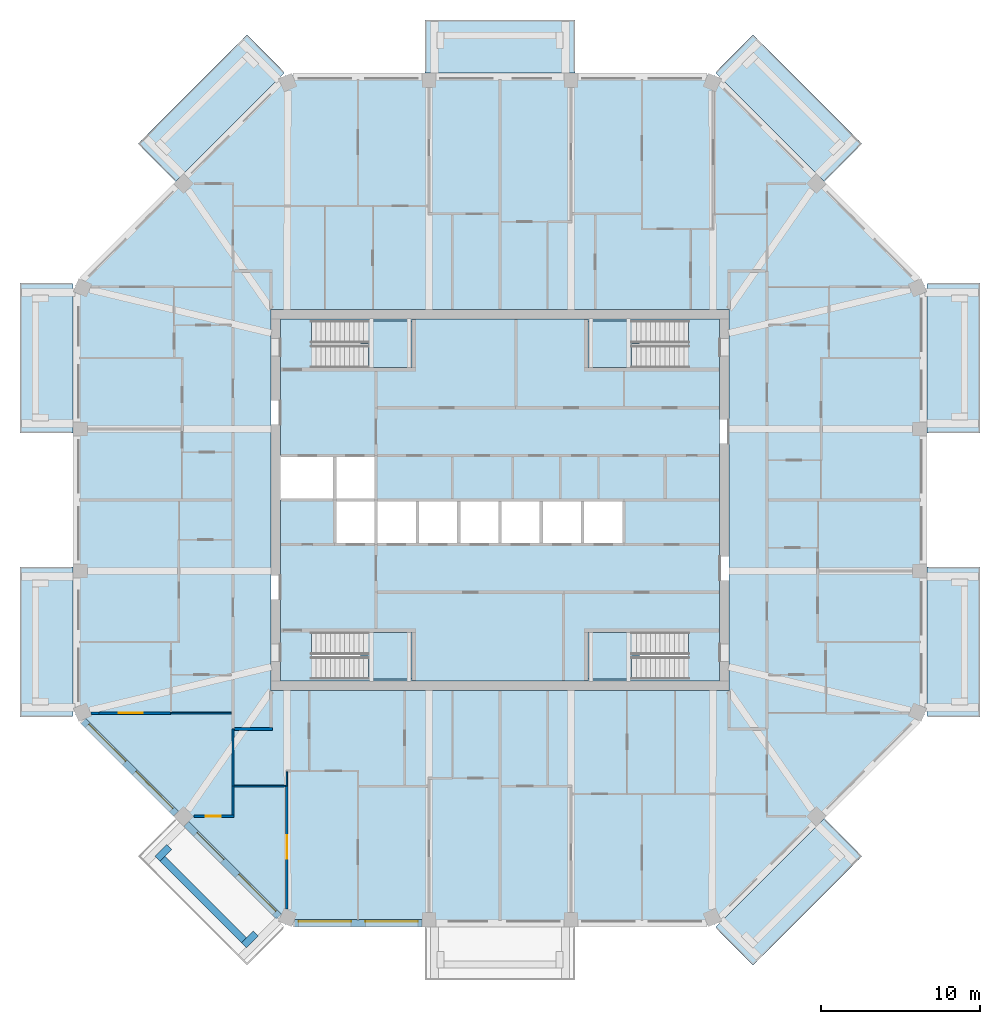
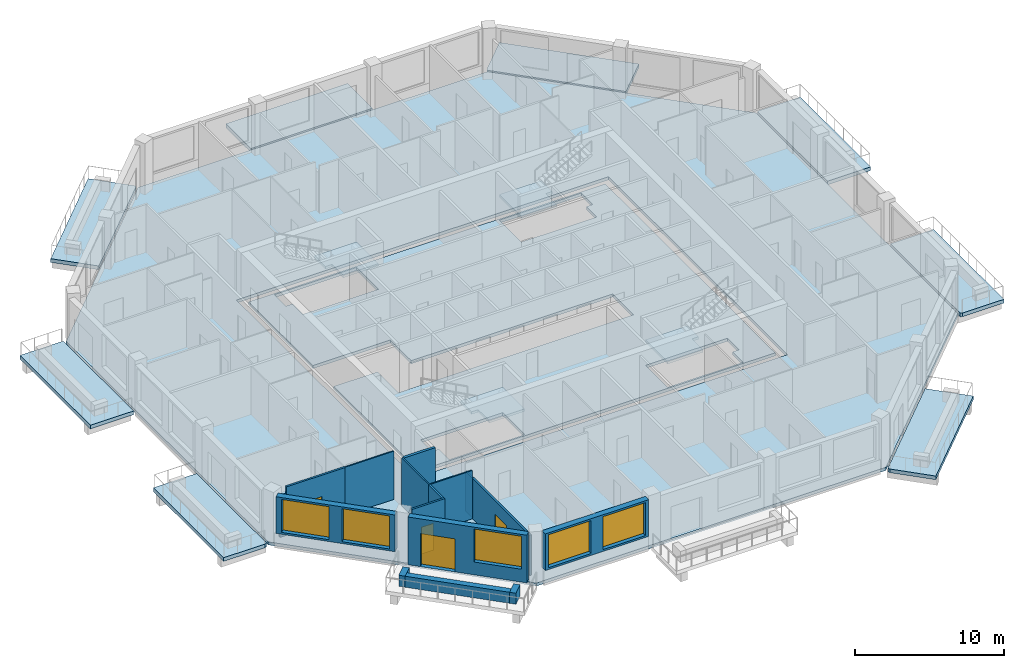
# One storey, part 2 of 12: 16 walls, 14 slabs, 5 windows, 4 doors, 9 openings, 4 elements without a shape of their own.
"""IFC4 building model written with IfcOpenShell, lengths in metres."""

from ifc_helpers import new_model, si_unit, direction, frame, frame_2d, origin, place, context, subcontext, project, spatial, polyline, rectangle, outline, extrude, material, layer, layer_set, type_object, element, fill, aggregate, save


model = new_model("IFC4")

# Units and contexts
model_context = context("Model", 3, precision=1e-05, world=origin(), true_north=direction((0.0, 1.0)))
body_context = subcontext(model_context, "Body", "Model", "MODEL_VIEW")
ifc_project = project(units=[si_unit("LENGTHUNIT", "METRE"), si_unit("AREAUNIT", "SQUARE_METRE"), si_unit("VOLUMEUNIT", "CUBIC_METRE"), si_unit("PLANEANGLEUNIT", "RADIAN"), si_unit("MASSUNIT", "GRAM", prefix="KILO")], contexts=[model_context])

# Site, building, storey
site_placement = place(None, origin())
site = spatial("IfcSite", under=ifc_project, at=site_placement, CompositionType="ELEMENT")
building_placement = place(site_placement, origin())
building = spatial("IfcBuilding", under=site, at=building_placement, Name="Msitu Wima Residences", CompositionType="ELEMENT")
storey_placement = place(building_placement, frame((0.0, 0.0, 276.89990234375)))
storey = spatial("IfcBuildingStorey", under=building, at=storey_placement, Name="L64", CompositionType="ELEMENT", Elevation=276.89990234375)

# Slabs
ifc_material_1 = material(Name="Concrete C40/50", Category="concrete")
ifc_layer_1 = layer(ifc_material_1, 0.300048828125)
ifc_layer_set_1 = layer_set([ifc_layer_1], Name="Concrete C40/50")
slab_type_1 = type_object("IfcSlabType", Name="Balcony slab BS300", PredefinedType="FLOOR", material=ifc_layer_set_1)
slab_1_placement = place(storey_placement, frame((0.0, 0.0, -0.2998046875)))
element("IfcSlab", 1, at=slab_1_placement, inside=storey, type_object=slab_type_1, Name="Balcony E0 L64", PredefinedType="FLOOR", context=body_context, shape_type="SweptSolid", body=[
    extrude(outline(polyline([(26.85009765625, -13.105224609375), (26.85009765625, -13.105224609375), (26.85009765625, -4.918701171875), (26.85009765625, -4.21875), (30.199951171875, -4.21875), (30.199951171875, -13.656005859375), (27.003662109375, -13.656005859375), (26.85009765625, -13.59228515625), (26.85009765625, -13.105224609375), (26.85009765625, -13.105224609375)])), origin(), (0.0, 0.0, 1.0), 0.2998046875),
])
slab_2_placement = place(storey_placement, frame((0.0, 0.0, -0.2998046875)))
element("IfcSlab", 2, at=slab_2_placement, inside=storey, type_object=slab_type_1, Name="Balcony E2 L64", PredefinedType="FLOOR", context=body_context, shape_type="SweptSolid", body=[
    extrude(outline(polyline([(26.85009765625, 13.105224609375), (26.85009765625, 13.105224609375), (26.85009765625, 13.105224609375), (26.85009765625, 13.59228515625), (27.003662109375, 13.656005859375), (30.199951171875, 13.656005859375), (30.199951171875, 4.21875), (26.85009765625, 4.21875), (26.85009765625, 4.918701171875), (26.85009765625, 13.105224609375)])), origin(), (0.0, 0.0, 1.0), 0.2998046875),
])
slab_3_placement = place(storey_placement, frame((0.0, 0.0, -0.2998046875)))
element("IfcSlab", 3, at=slab_3_placement, inside=storey, type_object=slab_type_1, Name="Balcony NE1 L64", PredefinedType="FLOOR", context=body_context, shape_type="SweptSolid", body=[
    extrude(outline(polyline([(13.936767578125, 26.505615234375), (13.936767578125, 26.505615234375), (13.59228515625, 26.85009765625), (13.656005859375, 27.003662109375), (15.916015625, 29.263671875), (22.766845703125, 22.4130859375), (20.39794921875, 20.04443359375), (13.936767578125, 26.505615234375), (13.936767578125, 26.505615234375)])), origin(), (0.0, 0.0, 1.0), 0.2998046875),
])
slab_4_placement = place(storey_placement, frame((0.0, 0.0, -0.2998046875)))
element("IfcSlab", 4, at=slab_4_placement, inside=storey, type_object=slab_type_1, Name="Balcony N1 L64", PredefinedType="FLOOR", context=body_context, shape_type="SweptSolid", body=[
    extrude(outline(polyline([(4.0185546875, 26.85009765625), (-4.0185546875, 26.85009765625), (-4.71875, 26.85009765625), (-4.71875, 30.199951171875), (4.71875, 30.199951171875), (4.71875, 26.85009765625), (4.0185546875, 26.85009765625)])), origin(), (0.0, 0.0, 1.0), 0.2998046875),
])
slab_5_placement = place(storey_placement, frame((0.0, 0.0, -0.2998046875)))
element("IfcSlab", 5, at=slab_5_placement, inside=storey, type_object=slab_type_1, Name="Balcony NW0 L64", PredefinedType="FLOOR", context=body_context, shape_type="SweptSolid", body=[
    extrude(outline(polyline([(-13.936767578125, 26.505615234375), (-13.936767578125, 26.505615234375), (-20.39794921875, 20.04443359375), (-22.766845703125, 22.4130859375), (-15.916015625, 29.263671875), (-13.656005859375, 27.003662109375), (-13.59228515625, 26.85009765625), (-13.936767578125, 26.505615234375), (-13.936767578125, 26.505615234375)])), origin(), (0.0, 0.0, 1.0), 0.2998046875),
])
slab_6_placement = place(storey_placement, frame((0.0, 0.0, -0.2998046875)))
element("IfcSlab", 6, at=slab_6_placement, inside=storey, type_object=slab_type_1, Name="Balcony W0 L64", PredefinedType="FLOOR", context=body_context, shape_type="SweptSolid", body=[
    extrude(outline(polyline([(-26.85009765625, 13.105224609375), (-26.85009765625, 13.105224609375), (-26.85009765625, 4.918701171875), (-26.85009765625, 4.21875), (-30.199951171875, 4.21875), (-30.199951171875, 13.656005859375), (-27.003662109375, 13.656005859375), (-26.85009765625, 13.59228515625), (-26.85009765625, 13.105224609375), (-26.85009765625, 13.105224609375)])), origin(), (0.0, 0.0, 1.0), 0.2998046875),
])
slab_7_placement = place(storey_placement, frame((0.0, 0.0, -0.2998046875)))
element("IfcSlab", 7, at=slab_7_placement, inside=storey, type_object=slab_type_1, Name="Balcony W2 L64", PredefinedType="FLOOR", context=body_context, shape_type="SweptSolid", body=[
    extrude(outline(polyline([(-26.85009765625, -13.105224609375), (-26.85009765625, -13.105224609375), (-26.85009765625, -13.105224609375), (-26.85009765625, -13.59228515625), (-27.003662109375, -13.656005859375), (-30.199951171875, -13.656005859375), (-30.199951171875, -4.21875), (-26.85009765625, -4.21875), (-26.85009765625, -4.918701171875), (-26.85009765625, -13.105224609375)])), origin(), (0.0, 0.0, 1.0), 0.2998046875),
])
slab_8_placement = place(storey_placement, frame((0.0, 0.0, -0.2998046875)))
element("IfcSlab", 8, at=slab_8_placement, inside=storey, type_object=slab_type_1, Name="Balcony SE0 L64", PredefinedType="FLOOR", context=body_context, shape_type="SweptSolid", body=[
    extrude(outline(polyline([(13.936767578125, -26.505615234375), (13.936767578125, -26.505615234375), (20.39794921875, -20.04443359375), (22.766845703125, -22.4130859375), (15.916015625, -29.263671875), (13.656005859375, -27.003662109375), (13.59228515625, -26.85009765625), (13.936767578125, -26.505615234375), (13.936767578125, -26.505615234375)])), origin(), (0.0, 0.0, 1.0), 0.2998046875),
])
ifc_layer_2 = layer(ifc_material_1, 0.25)
ifc_layer_set_2 = layer_set([ifc_layer_2], Name="Concrete C40/50")
slab_type_2 = type_object("IfcSlabType", Name="Core floor CF250", PredefinedType="FLOOR", material=ifc_layer_set_2)
slab_9_placement = place(storey_placement, frame((0.0, 0.0, -0.25)))
element("IfcSlab", 9, at=slab_9_placement, inside=storey, type_object=slab_type_2, Name="Core floor", PredefinedType="FLOOR", context=body_context, shape_type="SweptSolid", body=[
    extrude(outline(polyline([(-13.800048828125, 11.39990234375), (-13.800048828125, 2.800048828125), (-10.39990234375, 2.800048828125), (-7.800048828125, 2.800048828125), (-7.800048828125, 0.0), (-5.199951171875, 0.0), (-2.60009765625, 0.0), (0.0, 0.0), (2.60009765625, 0.0), (5.199951171875, 0.0), (7.800048828125, 0.0), (7.800048828125, -2.800048828125), (5.199951171875, -2.800048828125), (2.60009765625, -2.800048828125), (0.0, -2.800048828125), (-2.60009765625, -2.800048828125), (-5.199951171875, -2.800048828125), (-7.800048828125, -2.800048828125), (-10.39990234375, -2.800048828125), (-10.39990234375, 0.0), (-13.800048828125, 0.0), (-13.800048828125, -11.39990234375), (13.800048828125, -11.39990234375), (13.800048828125, 11.39990234375), (-13.800048828125, 11.39990234375)]), holes=[polyline([(-11.375, -11.27490234375), (-11.375, -9.875), (-11.87451171875, -9.875), (-11.87451171875, -8.324951171875), (-5.52490234375, -8.324951171875), (-5.52490234375, -11.27490234375), (-11.375, -11.27490234375)]), polyline([(-11.375, 8.324951171875), (-11.375, 9.72509765625), (-11.87451171875, 9.72509765625), (-11.87451171875, 11.27490234375), (-5.52490234375, 11.27490234375), (-5.52490234375, 8.324951171875), (-11.375, 8.324951171875)]), polyline([(11.375, -9.875), (11.375, -11.27490234375), (5.52490234375, -11.27490234375), (5.52490234375, -8.324951171875), (11.87451171875, -8.324951171875), (11.87451171875, -9.875), (11.375, -9.875)]), polyline([(11.375, 9.72509765625), (11.375, 8.324951171875), (5.52490234375, 8.324951171875), (5.52490234375, 11.27490234375), (11.87451171875, 11.27490234375), (11.87451171875, 9.72509765625), (11.375, 9.72509765625)])]), origin(), (0.0, 0.0, 1.0), 0.25),
])
ifc_layer_3 = layer(ifc_material_1, 0.25)
ifc_layer_set_3 = layer_set([ifc_layer_3], Name="Concrete C40/50")
slab_type_3 = type_object("IfcSlabType", Name="PT flat slab 250 Concrete C40/50", PredefinedType="FLOOR", material=ifc_layer_set_3)
slab_10_placement = place(storey_placement, frame((0.0, 0.0, -0.25)))
element("IfcSlab", 10, at=slab_10_placement, inside=storey, type_object=slab_type_3, Name="Floor slab L64", PredefinedType="FLOOR", context=body_context, shape_type="SweptSolid", body=[
    extrude(outline(polyline([(26.699951171875, -13.5302734375), (13.5302734375, -26.699951171875), (-13.5302734375, -26.699951171875), (-26.699951171875, -13.5302734375), (-26.699951171875, 13.5302734375), (-13.5302734375, 26.699951171875), (13.5302734375, 26.699951171875), (26.699951171875, 13.5302734375), (26.699951171875, -13.5302734375)]), holes=[polyline([(-14.39990234375, -12.0), (14.39990234375, -12.0), (14.39990234375, 12.0), (-14.39990234375, 12.0), (-14.39990234375, -12.0)])]), origin(), (0.0, 0.0, 1.0), 0.25),
])

# Stair, slab
stair_type = type_object("IfcStairType", Name="Exit stair ES1615-140", PredefinedType="HALF_TURN_STAIR", material=ifc_material_1)
stair_1_placement = place(storey_placement, origin())
stair_1 = element("IfcStair", 11, at=stair_1_placement, inside=storey, type_object=stair_type, Name="Exit stair 1", PredefinedType="HALF_TURN_STAIR")
ifc_layer_4 = layer(ifc_material_1, 0.199951171875)
ifc_layer_set_4 = layer_set([ifc_layer_4], Name="Concrete C40/50")
slab_type_4 = type_object("IfcSlabType", Name="Stair landing SL200", PredefinedType="LANDING", material=ifc_layer_set_4)
slab_11_placement = place(storey_placement, frame((0.0, 0.0, 1.900146484375)))
slab_11 = element("IfcSlab", 12, at=slab_11_placement, type_object=slab_type_4, Name="S1 landing 1", PredefinedType="LANDING", context=body_context, shape_type="SweptSolid", body=[
    extrude(outline(polyline([(-5.52490234375, 8.324951171875), (-8.275390625, 8.324951171875), (-8.275390625, 9.800048828125), (-8.77490234375, 9.800048828125), (-8.77490234375, 11.27490234375), (-5.52490234375, 11.27490234375), (-5.52490234375, 8.324951171875)])), origin(), (0.0, 0.0, 1.0), 0.199951171875),
])
aggregate(stair_1, [slab_11])

stair_2_placement = place(storey_placement, origin())
stair_2 = element("IfcStair", 13, at=stair_2_placement, inside=storey, type_object=stair_type, Name="Exit stair 2", PredefinedType="HALF_TURN_STAIR")
slab_12_placement = place(storey_placement, frame((0.0, 0.0, 1.900146484375)))
slab_12 = element("IfcSlab", 14, at=slab_12_placement, type_object=slab_type_4, Name="S2 landing 1", PredefinedType="LANDING", context=body_context, shape_type="SweptSolid", body=[
    extrude(outline(polyline([(-5.52490234375, -11.27490234375), (-8.275390625, -11.27490234375), (-8.275390625, -9.800048828125), (-8.77490234375, -9.800048828125), (-8.77490234375, -8.324951171875), (-5.52490234375, -8.324951171875), (-5.52490234375, -11.27490234375)])), origin(), (0.0, 0.0, 1.0), 0.199951171875),
])
aggregate(stair_2, [slab_12])

stair_3_placement = place(storey_placement, origin())
stair_3 = element("IfcStair", 15, at=stair_3_placement, inside=storey, type_object=stair_type, Name="Exit stair 3", PredefinedType="HALF_TURN_STAIR")
slab_13_placement = place(storey_placement, frame((0.0, 0.0, 1.900146484375)))
slab_13 = element("IfcSlab", 16, at=slab_13_placement, type_object=slab_type_4, Name="S3 landing 1", PredefinedType="LANDING", context=body_context, shape_type="SweptSolid", body=[
    extrude(outline(polyline([(5.52490234375, 8.324951171875), (8.275390625, 8.324951171875), (8.275390625, 9.800048828125), (8.77490234375, 9.800048828125), (8.77490234375, 11.27490234375), (5.52490234375, 11.27490234375), (5.52490234375, 8.324951171875)])), origin(), (0.0, 0.0, 1.0), 0.199951171875),
])
aggregate(stair_3, [slab_13])

stair_4_placement = place(storey_placement, origin())
stair_4 = element("IfcStair", 17, at=stair_4_placement, inside=storey, type_object=stair_type, Name="Exit stair 4", PredefinedType="HALF_TURN_STAIR")
slab_14_placement = place(storey_placement, frame((0.0, 0.0, 1.900146484375)))
slab_14 = element("IfcSlab", 18, at=slab_14_placement, type_object=slab_type_4, Name="S4 landing 1", PredefinedType="LANDING", context=body_context, shape_type="SweptSolid", body=[
    extrude(outline(polyline([(5.52490234375, -11.27490234375), (8.275390625, -11.27490234375), (8.275390625, -9.800048828125), (8.77490234375, -9.800048828125), (8.77490234375, -8.324951171875), (5.52490234375, -8.324951171875), (5.52490234375, -11.27490234375)])), origin(), (0.0, 0.0, 1.0), 0.199951171875),
])
aggregate(stair_4, [slab_14])

# Walls
ifc_material_2 = material(Name="Facing brick")
ifc_layer_5 = layer(ifc_material_2, 0.06494140625, Name="Facing brick")
ifc_layer_6 = layer(ifc_material_1, 0.156005859375, Name="Concrete C40/50")
ifc_material_3 = material(Name="Waterproofing membrane")
ifc_layer_7 = layer(ifc_material_3, 0.00390625, Name="Waterproofing membrane")
ifc_material_4 = material(Name="Planting soil and planting")
ifc_layer_8 = layer(ifc_material_4, 0.22509765625, Name="Planting soil and planting")
ifc_layer_set_5 = layer_set([ifc_layer_5, ifc_layer_6, ifc_layer_7, ifc_layer_8], Name="Concrete C40/50")
wall_type_1 = type_object("IfcWallType", Name="Balcony planter PLANTER PL450", PredefinedType="USERDEFINED", material=ifc_layer_set_5)
wall_1_placement = place(storey_placement, frame((-21.228759765625, -22.572265625, 0.0), z_axis=(0.0, 0.0, 1.0), x_axis=(0.707106781187, -0.707106781187, 0.0)))
element("IfcWall", 19, at=wall_1_placement, inside=storey, type_object=wall_type_1, Name="Balcony planter SW1 L64", ObjectType="PLANTER", PredefinedType="USERDEFINED", context=body_context, shape_type="SweptSolid", body=[
    extrude(rectangle(XDim=7.23828125, YDim=0.449951171875, at=frame_2d((3.619140625, 0.0))), origin(), (0.0, 0.0, 1.0), 0.900146484375),
])
for number, where, z_axis, x_axis, name in (
    (20, (-20.804443359375, -21.829833984375, 0.0), (0.0, 0.0, 1.0), (-0.707106781187, -0.707106781187, 0.0), "Balcony planter SW1 L64"),
    (21, (-15.3681640625, -27.26611328125, 0.0), (0.0, 0.0, 1.0), (-0.706990528533, -0.707223014731, 0.0), "Balcony planter SW1 L64"),
):
    element("IfcWall", number, at=place(storey_placement, frame(where, z_axis=z_axis, x_axis=x_axis)), inside=storey, type_object=wall_type_1, Name=name, ObjectType="PLANTER", PredefinedType="USERDEFINED", context=body_context, shape_type="SweptSolid", body=[
        extrude(rectangle(XDim=1.050048828125, YDim=0.449951171875, at=frame_2d((0.52490234375, 0.0))), origin(), (0.0, 0.0, 1.0), 0.900146484375),
    ])

# Wall, openings, windows
ifc_material_5 = material(Name="Brick (red buff mix)", Category="masonry")
ifc_layer_9 = layer(ifc_material_5, 0.449951171875)
ifc_layer_set_6 = layer_set([ifc_layer_9], Name="Brick (red buff mix)")
wall_type_2 = type_object("IfcWallType", Name="Brick infill wall BW450", PredefinedType="SOLIDWALL", material=ifc_layer_set_6)
wall_2_placement = place(storey_placement, frame((-26.214599609375, -13.909423828125, 0.900146484375), z_axis=(0.0, 0.0, 1.0), x_axis=(0.707106781187, -0.707106781187, 0.0)))
wall_2 = element("IfcWall", 22, at=wall_2_placement, inside=storey, type_object=wall_type_2, Name="Brick infill wall L64 SW0", PredefinedType="SOLIDWALL", context=body_context, shape_type="SweptSolid", body=[
    extrude(rectangle(XDim=8.251220703125, YDim=0.449951171875, at=frame_2d((4.12548828125, 0.0))), origin(), (0.0, 0.0, 1.0), 3.0),
])
opening_1_placement = place(wall_2_placement, frame((0.37548828125, 0.0, 0.14990234375)))
opening_1 = element("IfcOpeningElement", 23, at=opening_1_placement, cuts=wall_2, Name="Opening W63-64.024", PredefinedType="OPENING", context=body_context, shape_type="SweptSolid", body=[
    extrude(rectangle(XDim=3.300048828125, YDim=2.699951171875, at=frame_2d((1.64990234375, 1.35009765625))), frame((0.0, 0.23486328125, 0.0), z_axis=(0.0, -1.0, 0.0), x_axis=(1.0, 0.0, 0.0)), (0.0, 0.0, 1.0), 0.469970703125),
])
opening_2_placement = place(wall_2_placement, frame((4.57568359375, 0.0, 0.14990234375)))
opening_2 = element("IfcOpeningElement", 24, at=opening_2_placement, cuts=wall_2, Name="Opening W63-64.025", PredefinedType="OPENING", context=body_context, shape_type="SweptSolid", body=[
    extrude(rectangle(XDim=3.300048828125, YDim=2.699951171875, at=frame_2d((1.64990234375, 1.35009765625))), frame((0.0, 0.23486328125, 0.0), z_axis=(0.0, -1.0, 0.0), x_axis=(1.0, 0.0, 0.0)), (0.0, 0.0, 1.0), 0.469970703125),
])
ifc_material_6 = material(Name="Anodised aluminium, bronze finish, clear low-emissivity double glazing", Category="aluminium")
window_type = type_object("IfcWindowType", Name="Window W3300x2700", PartitioningType="DOUBLE_PANEL_VERTICAL", PredefinedType="WINDOW", material=ifc_material_6)
window_1_placement = place(opening_1_placement, origin())
window_1 = element("IfcWindow", 25, at=window_1_placement, inside=storey, type_object=window_type, Name="Window L64 SW0.1", OverallHeight=2.699951171875, OverallWidth=3.300048828125, PartitioningType="SINGLE_PANEL", PredefinedType="WINDOW", context=body_context, shape_type="SweptSolid", body=[
    extrude(rectangle(XDim=3.300048828125, YDim=2.699951171875, at=frame_2d((1.64990234375, 1.35009765625))), frame((0.0, 0.135009765625, 0.0), z_axis=(0.0, -1.0, 0.0), x_axis=(1.0, 0.0, 0.0)), (0.0, 0.0, 1.0), 0.06005859375),
])
fill(opening_1, window_1)
window_2_placement = place(opening_2_placement, origin())
window_2 = element("IfcWindow", 26, at=window_2_placement, inside=storey, type_object=window_type, Name="Window L64 SW0.2", OverallHeight=2.699951171875, OverallWidth=3.300048828125, PartitioningType="SINGLE_PANEL", PredefinedType="WINDOW", context=body_context, shape_type="SweptSolid", body=[
    extrude(rectangle(XDim=3.300048828125, YDim=2.699951171875, at=frame_2d((1.64990234375, 1.35009765625))), frame((0.0, 0.135009765625, 0.0), z_axis=(0.0, -1.0, 0.0), x_axis=(1.0, 0.0, 0.0)), (0.0, 0.0, 1.0), 0.06005859375),
])
fill(opening_2, window_2)

# Wall, openings, door, window
wall_3_placement = place(storey_placement, frame((-19.743896484375, -20.380126953125, 0.0), z_axis=(0.0, 0.0, 1.0), x_axis=(0.707106781187, -0.707106781187, 0.0)))
wall_3 = element("IfcWall", 27, at=wall_3_placement, inside=storey, type_object=wall_type_2, Name="Brick infill wall L64 SW1", PredefinedType="SOLIDWALL", context=body_context, shape_type="SweptSolid", body=[
    extrude(rectangle(XDim=8.251220703125, YDim=0.449951171875, at=frame_2d((4.12548828125, 0.0))), origin(), (0.0, 0.0, 1.0), 3.900146484375),
])
opening_3_placement = place(wall_3_placement, frame((0.86279296875, 0.0, 0.0)))
opening_3 = element("IfcOpeningElement", 28, at=opening_3_placement, cuts=wall_3, Name="Opening D63-64.008", PredefinedType="OPENING", context=body_context, shape_type="SweptSolid", body=[
    extrude(rectangle(XDim=2.39990234375, YDim=2.699951171875, at=frame_2d((1.199951171875, 1.35009765625))), frame((0.0, 0.23486328125, 0.0), z_axis=(0.0, -1.0, 0.0), x_axis=(1.0, 0.0, 0.0)), (0.0, 0.0, 1.0), 0.469970703125),
])
opening_4_placement = place(wall_3_placement, frame((4.57568359375, 0.0, 1.050048828125)))
opening_4 = element("IfcOpeningElement", 29, at=opening_4_placement, cuts=wall_3, Name="Opening W63-64.026", PredefinedType="OPENING", context=body_context, shape_type="SweptSolid", body=[
    extrude(rectangle(XDim=3.300048828125, YDim=2.699951171875, at=frame_2d((1.64990234375, 1.35009765625))), frame((0.0, 0.23486328125, 0.0), z_axis=(0.0, -1.0, 0.0), x_axis=(1.0, 0.0, 0.0)), (0.0, 0.0, 1.0), 0.469970703125),
])
door_type_1 = type_object("IfcDoorType", Name="Balcony door D2400x2700", OperationType="SLIDING_TO_LEFT", PredefinedType="DOOR", material=ifc_material_6)
door_1_placement = place(opening_3_placement, origin())
door_1 = element("IfcDoor", 30, at=door_1_placement, inside=storey, type_object=door_type_1, Name="Balcony door L64 SW1", OperationType="SINGLE_SWING_LEFT", OverallHeight=2.699951171875, OverallWidth=2.39990234375, PredefinedType="DOOR", context=body_context, shape_type="SweptSolid", body=[
    extrude(rectangle(XDim=2.39990234375, YDim=2.699951171875, at=frame_2d((1.199951171875, 1.35009765625))), frame((0.0, 0.1298828125, 0.0), z_axis=(0.0, -1.0, 0.0), x_axis=(1.0, 0.0, 0.0)), (0.0, 0.0, 1.0), 0.050048828125),
])
fill(opening_3, door_1)
window_3_placement = place(opening_4_placement, origin())
window_3 = element("IfcWindow", 31, at=window_3_placement, inside=storey, type_object=window_type, Name="Window L64 SW1.2", OverallHeight=2.699951171875, OverallWidth=3.300048828125, PartitioningType="SINGLE_PANEL", PredefinedType="WINDOW", context=body_context, shape_type="SweptSolid", body=[
    extrude(rectangle(XDim=3.300048828125, YDim=2.699951171875, at=frame_2d((1.64990234375, 1.35009765625))), frame((0.0, 0.135009765625, 0.0), z_axis=(0.0, -1.0, 0.0), x_axis=(1.0, 0.0, 0.0)), (0.0, 0.0, 1.0), 0.06005859375),
])
fill(opening_4, window_3)

# Wall, openings, windows
wall_4_placement = place(storey_placement, frame((-12.918701171875, -26.625, 0.900146484375), z_axis=(0.0, 0.0, 1.0), x_axis=(1.0, 0.0, 0.0)))
wall_4 = element("IfcWall", 32, at=wall_4_placement, inside=storey, type_object=wall_type_2, Name="Brick infill wall L64 S0", PredefinedType="SOLIDWALL", context=body_context, shape_type="SweptSolid", body=[
    extrude(rectangle(XDim=8.0, YDim=0.449951171875, at=frame_2d((4.0, 0.0))), origin(), (0.0, 0.0, 1.0), 3.0),
])
opening_5_placement = place(wall_4_placement, frame((0.25, 0.0, 0.14990234375)))
opening_5 = element("IfcOpeningElement", 33, at=opening_5_placement, cuts=wall_4, Name="Opening W63-64.016", PredefinedType="OPENING", context=body_context, shape_type="SweptSolid", body=[
    extrude(rectangle(XDim=3.300048828125, YDim=2.699951171875, at=frame_2d((1.64990234375, 1.35009765625))), frame((0.0, 0.23486328125, 0.0), z_axis=(0.0, -1.0, 0.0), x_axis=(1.0, 0.0, 0.0)), (0.0, 0.0, 1.0), 0.469970703125),
])
opening_6_placement = place(wall_4_placement, frame((4.4501953125, 0.0, 0.14990234375)))
opening_6 = element("IfcOpeningElement", 34, at=opening_6_placement, cuts=wall_4, Name="Opening W63-64.017", PredefinedType="OPENING", context=body_context, shape_type="SweptSolid", body=[
    extrude(rectangle(XDim=3.300048828125, YDim=2.699951171875, at=frame_2d((1.64990234375, 1.35009765625))), frame((0.0, 0.23486328125, 0.0), z_axis=(0.0, -1.0, 0.0), x_axis=(1.0, 0.0, 0.0)), (0.0, 0.0, 1.0), 0.469970703125),
])
window_4_placement = place(opening_5_placement, origin())
window_4 = element("IfcWindow", 35, at=window_4_placement, inside=storey, type_object=window_type, Name="Window L64 S0.1", OverallHeight=2.699951171875, OverallWidth=3.300048828125, PartitioningType="SINGLE_PANEL", PredefinedType="WINDOW", context=body_context, shape_type="SweptSolid", body=[
    extrude(rectangle(XDim=3.300048828125, YDim=2.699951171875, at=frame_2d((1.64990234375, 1.35009765625))), frame((0.0, 0.135009765625, 0.0), z_axis=(0.0, -1.0, 0.0), x_axis=(1.0, 0.0, 0.0)), (0.0, 0.0, 1.0), 0.06005859375),
])
fill(opening_5, window_4)
window_5_placement = place(opening_6_placement, origin())
window_5 = element("IfcWindow", 36, at=window_5_placement, inside=storey, type_object=window_type, Name="Window L64 S0.2", OverallHeight=2.699951171875, OverallWidth=3.300048828125, PartitioningType="SINGLE_PANEL", PredefinedType="WINDOW", context=body_context, shape_type="SweptSolid", body=[
    extrude(rectangle(XDim=3.300048828125, YDim=2.699951171875, at=frame_2d((1.64990234375, 1.35009765625))), frame((0.0, 0.135009765625, 0.0), z_axis=(0.0, -1.0, 0.0), x_axis=(1.0, 0.0, 0.0)), (0.0, 0.0, 1.0), 0.06005859375),
])
fill(opening_6, window_5)

# Walls
ifc_material_7 = material(Name="Plaster")
ifc_layer_10 = layer(ifc_material_7, 0.011962890625, Name="Plaster")
ifc_material_8 = material(Name="Concrete blockwork", Category="masonry")
ifc_layer_11 = layer(ifc_material_8, 0.176025390625, Name="Concrete blockwork")
ifc_layer_12 = layer(ifc_material_7, 0.011962890625, Name="Plaster")
ifc_layer_set_7 = layer_set([ifc_layer_10, ifc_layer_11, ifc_layer_12], Name="Concrete blockwork")
wall_type_3 = type_object("IfcWallType", Name="Corridor wall FW200", PredefinedType="PARTITIONING", material=ifc_layer_set_7)
wall_5_placement = place(storey_placement, frame((-16.699951171875, -14.39990234375, 0.0), z_axis=(0.0, 0.0, 1.0), x_axis=(1.0, 0.0, 0.0)))
element("IfcWall", 37, at=wall_5_placement, inside=storey, type_object=wall_type_3, Name="Corridor wall", PredefinedType="PARTITIONING", context=body_context, shape_type="SweptSolid", body=[
    extrude(rectangle(XDim=2.39990234375, YDim=0.199951171875, at=frame_2d((1.199951171875, 0.0))), origin(), (0.0, 0.0, 1.0), 3.9501953125),
])
ifc_layer_13 = layer(ifc_material_7, 0.011962890625, Name="Plaster")
ifc_layer_14 = layer(ifc_material_8, 0.1259765625, Name="Concrete blockwork")
ifc_layer_15 = layer(ifc_material_7, 0.011962890625, Name="Plaster")
ifc_layer_set_8 = layer_set([ifc_layer_13, ifc_layer_14, ifc_layer_15], Name="Concrete blockwork")
wall_type_4 = type_object("IfcWallType", Name="Partition PW150", PredefinedType="PARTITIONING", material=ifc_layer_set_8)
wall_6_placement = place(storey_placement, frame((-25.731201171875, -13.406005859375, 0.0), z_axis=(0.0, 0.0, 1.0), x_axis=(1.0, 0.0, 0.0)))
element("IfcWall", 38, at=wall_6_placement, inside=storey, type_object=wall_type_4, Name="Partition", PredefinedType="PARTITIONING", context=body_context, shape_type="SweptSolid", body=[
    extrude(rectangle(XDim=0.507080078125, YDim=0.14990234375, at=frame_2d((0.25341796875, 0.0))), origin(), (0.0, 0.0, 1.0), 3.35009765625),
])

# Wall, opening, door
wall_7_placement = place(storey_placement, frame((-25.22412109375, -13.406005859375, 0.0), z_axis=(0.0, 0.0, 1.0), x_axis=(1.0, 0.0, 0.0)))
wall_7 = element("IfcWall", 39, at=wall_7_placement, inside=storey, type_object=wall_type_4, Name="Partition", PredefinedType="PARTITIONING", context=body_context, shape_type="SweptSolid", body=[
    extrude(rectangle(XDim=4.524169921875, YDim=0.14990234375, at=frame_2d((2.26220703125, 0.0))), origin(), (0.0, 0.0, 1.0), 3.9501953125),
])
opening_7_placement = place(wall_7_placement, frame((1.242919921875, 0.0, 0.0)))
opening_7 = element("IfcOpeningElement", 40, at=opening_7_placement, cuts=wall_7, Name="Opening D63-64.048", PredefinedType="OPENING", context=body_context, shape_type="SweptSolid", body=[
    extrude(rectangle(XDim=1.5, YDim=2.199951171875, at=frame_2d((0.75, 1.10009765625))), frame((0.0, 0.0849609375, 0.0), z_axis=(0.0, -1.0, 0.0), x_axis=(1.0, 0.0, 0.0)), (0.0, 0.0, 1.0), 0.169921875),
])
ifc_material_9 = material(Name="Timber double door", Category="wood")
door_type_2 = type_object("IfcDoorType", Name="Double door D04 1500x2200", OperationType="DOUBLE_DOOR_SINGLE_SWING", PredefinedType="DOOR", material=ifc_material_9)
door_2_placement = place(opening_7_placement, origin())
door_2 = element("IfcDoor", 41, at=door_2_placement, inside=storey, type_object=door_type_2, Name="Double door", OperationType="DOUBLE_DOOR_SINGLE_SWING", OverallHeight=2.199951171875, OverallWidth=1.5, PredefinedType="DOOR", context=body_context, shape_type="SweptSolid", body=[
    extrude(rectangle(XDim=1.5, YDim=2.199951171875, at=frame_2d((0.75, 1.10009765625))), frame((0.0, 0.02490234375, 0.0), z_axis=(0.0, -1.0, 0.0), x_axis=(1.0, 0.0, 0.0)), (0.0, 0.0, 1.0), 0.050048828125),
])
fill(opening_7, door_2)

wall_8_placement = place(storey_placement, frame((-19.2666015625, -19.90283203125, 0.0), z_axis=(0.0, 0.0, 1.0), x_axis=(1.0, 0.0, 0.0)))
wall_8 = element("IfcWall", 42, at=wall_8_placement, inside=storey, type_object=wall_type_4, Name="Partition", PredefinedType="PARTITIONING", context=body_context, shape_type="SweptSolid", body=[
    extrude(rectangle(XDim=2.54150390625, YDim=0.14990234375, at=frame_2d((1.270751953125, 0.0))), origin(), (0.0, 0.0, 1.0), 3.9501953125),
])
opening_8_placement = place(wall_8_placement, frame((0.75, 0.0, 0.0)))
opening_8 = element("IfcOpeningElement", 43, at=opening_8_placement, cuts=wall_8, Name="Opening D63-64.049", PredefinedType="OPENING", context=body_context, shape_type="SweptSolid", body=[
    extrude(rectangle(XDim=0.949951171875, YDim=2.199951171875, at=frame_2d((0.47509765625, 1.10009765625))), frame((0.0, 0.0849609375, 0.0), z_axis=(0.0, -1.0, 0.0), x_axis=(1.0, 0.0, 0.0)), (0.0, 0.0, 1.0), 0.169921875),
])
ifc_material_10 = material(Name="Timber flush door", Category="wood")
door_type_3 = type_object("IfcDoorType", Name="Room door D12 950x2200", OperationType="SINGLE_SWING_LEFT", PredefinedType="DOOR", material=ifc_material_10)
door_3_placement = place(opening_8_placement, origin())
door_3 = element("IfcDoor", 44, at=door_3_placement, inside=storey, type_object=door_type_3, Name="Room door", OperationType="SINGLE_SWING_RIGHT", OverallHeight=2.199951171875, OverallWidth=0.949951171875, PredefinedType="DOOR", context=body_context, shape_type="SweptSolid", body=[
    extrude(rectangle(XDim=0.949951171875, YDim=2.199951171875, at=frame_2d((0.47509765625, 1.10009765625))), frame((0.0, 0.02490234375, 0.0), z_axis=(0.0, -1.0, 0.0), x_axis=(1.0, 0.0, 0.0)), (0.0, 0.0, 1.0), 0.050048828125),
])
fill(opening_8, door_3)

# Wall
wall_9_placement = place(storey_placement, frame((-16.800048828125, -19.827880859375, 0.0), z_axis=(0.0, 0.0, 1.0), x_axis=(0.0, 1.0, 0.0)))
element("IfcWall", 45, at=wall_9_placement, inside=storey, type_object=wall_type_4, Name="Partition", PredefinedType="PARTITIONING", context=body_context, shape_type="SweptSolid", body=[
    extrude(rectangle(XDim=1.827880859375, YDim=0.14990234375, at=frame_2d((0.9140625, 0.0))), origin(), (0.0, 0.0, 1.0), 3.9501953125),
])

# Wall, opening, door
wall_10_placement = place(storey_placement, frame((-13.406005859375, -25.731201171875, 0.0), z_axis=(0.0, 0.0, 1.0), x_axis=(0.0, 1.0, 0.0)))
wall_10 = element("IfcWall", 46, at=wall_10_placement, inside=storey, type_object=wall_type_4, Name="Partition", PredefinedType="PARTITIONING", context=body_context, shape_type="SweptSolid", body=[
    extrude(rectangle(XDim=7.751220703125, YDim=0.14990234375, at=frame_2d((3.87548828125, 0.0))), origin(), (0.0, 0.0, 1.0), 3.300048828125),
])
opening_9_placement = place(wall_10_placement, frame((3.14990234375, 0.0, 0.0)))
opening_9 = element("IfcOpeningElement", 47, at=opening_9_placement, cuts=wall_10, Name="Opening D63-64.050", PredefinedType="OPENING", context=body_context, shape_type="SweptSolid", body=[
    extrude(rectangle(XDim=1.5, YDim=2.199951171875, at=frame_2d((0.75, 1.10009765625))), frame((0.0, 0.0849609375, 0.0), z_axis=(0.0, -1.0, 0.0), x_axis=(1.0, 0.0, 0.0)), (0.0, 0.0, 1.0), 0.169921875),
])
door_4_placement = place(opening_9_placement, origin())
door_4 = element("IfcDoor", 48, at=door_4_placement, inside=storey, type_object=door_type_2, Name="Double door", OperationType="DOUBLE_DOOR_SINGLE_SWING", OverallHeight=2.199951171875, OverallWidth=1.5, PredefinedType="DOOR", context=body_context, shape_type="SweptSolid", body=[
    extrude(rectangle(XDim=1.5, YDim=2.199951171875, at=frame_2d((0.75, 1.10009765625))), frame((0.0, 0.02490234375, 0.0), z_axis=(0.0, -1.0, 0.0), x_axis=(1.0, 0.0, 0.0)), (0.0, 0.0, 1.0), 0.050048828125),
])
fill(opening_9, door_4)

# Walls
ifc_material_11 = material(Name="Ceramic tiles")
ifc_layer_16 = layer(ifc_material_11, 0.008056640625, Name="Ceramic tiles")
ifc_material_12 = material(Name="Moisture-resistant board")
ifc_layer_17 = layer(ifc_material_12, 0.012451171875, Name="Moisture-resistant board")
ifc_material_13 = material(Name="Light-gauge stud framing with mineral wool")
ifc_layer_18 = layer(ifc_material_13, 0.06689453125, Name="Light-gauge stud framing with mineral wool")
ifc_layer_19 = layer(ifc_material_12, 0.012451171875, Name="Moisture-resistant board")
ifc_layer_set_9 = layer_set([ifc_layer_16, ifc_layer_17, ifc_layer_18, ifc_layer_19], Name="Light-gauge stud framing with mineral wool")
wall_type_5 = type_object("IfcWallType", Name="Wet wall PW100", PredefinedType="PARTITIONING", material=ifc_layer_set_9)
wall_11_placement = place(storey_placement, frame((-20.699951171875, -13.406005859375, 0.0), z_axis=(0.0, 0.0, 1.0), x_axis=(1.0, 0.0, 0.0)))
element("IfcWall", 49, at=wall_11_placement, inside=storey, type_object=wall_type_5, Name="Wet wall", PredefinedType="PARTITIONING", context=body_context, shape_type="SweptSolid", body=[
    extrude(rectangle(XDim=3.800048828125, YDim=0.10009765625, at=frame_2d((1.89990234375, 0.0))), origin(), (0.0, 0.0, 1.0), 3.9501953125),
])
wall_12_placement = place(storey_placement, frame((-16.800048828125, -18.0, 0.0), z_axis=(0.0, 0.0, 1.0), x_axis=(0.0, 1.0, 0.0)))
element("IfcWall", 50, at=wall_12_placement, inside=storey, type_object=wall_type_5, Name="Wet wall", PredefinedType="PARTITIONING", context=body_context, shape_type="SweptSolid", body=[
    extrude(rectangle(XDim=3.60009765625, YDim=0.10009765625, at=frame_2d((1.800048828125, 0.0))), origin(), (0.0, 0.0, 1.0), 3.9501953125),
])
wall_13_placement = place(storey_placement, frame((-16.72509765625, -18.0, 0.0), z_axis=(0.0, 0.0, 1.0), x_axis=(1.0, 0.0, 0.0)))
element("IfcWall", 51, at=wall_13_placement, inside=storey, type_object=wall_type_5, Name="Wet wall", PredefinedType="PARTITIONING", context=body_context, shape_type="SweptSolid", body=[
    extrude(rectangle(XDim=3.244140625, YDim=0.10009765625, at=frame_2d((1.6220703125, 0.0))), origin(), (0.0, 0.0, 1.0), 3.9501953125),
])
wall_14_placement = place(storey_placement, frame((-13.406005859375, -17.97998046875, 0.0), z_axis=(0.0, 0.0, 1.0), x_axis=(0.0, 1.0, 0.0)))
element("IfcWall", 52, at=wall_14_placement, inside=storey, type_object=wall_type_5, Name="Wet wall", PredefinedType="PARTITIONING", context=body_context, shape_type="SweptSolid", body=[
    extrude(rectangle(XDim=0.8798828125, YDim=0.10009765625, at=frame_2d((0.43994140625, 0.0))), origin(), (0.0, 0.0, 1.0), 3.300048828125),
])

save(model, "model.ifc")
